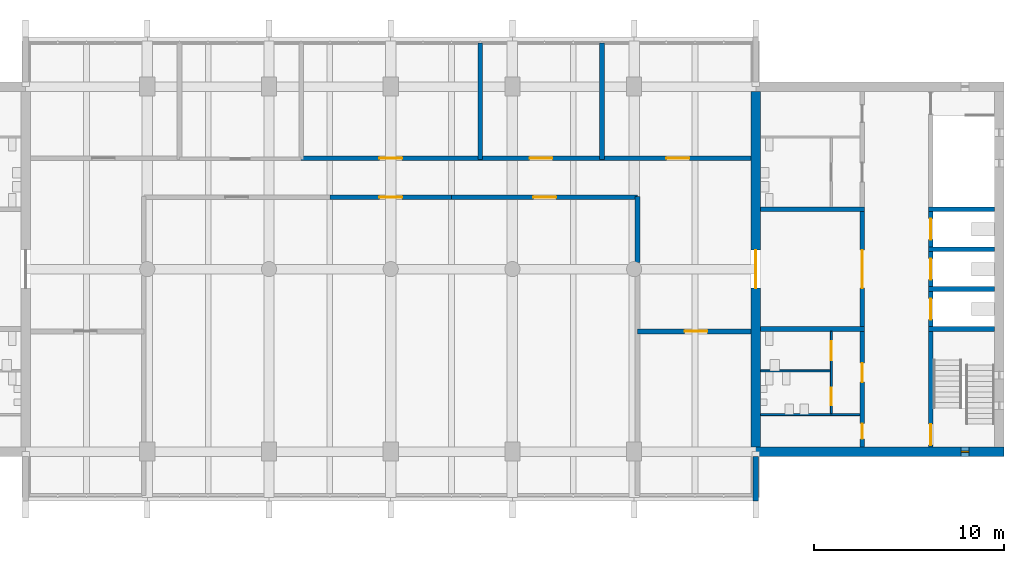
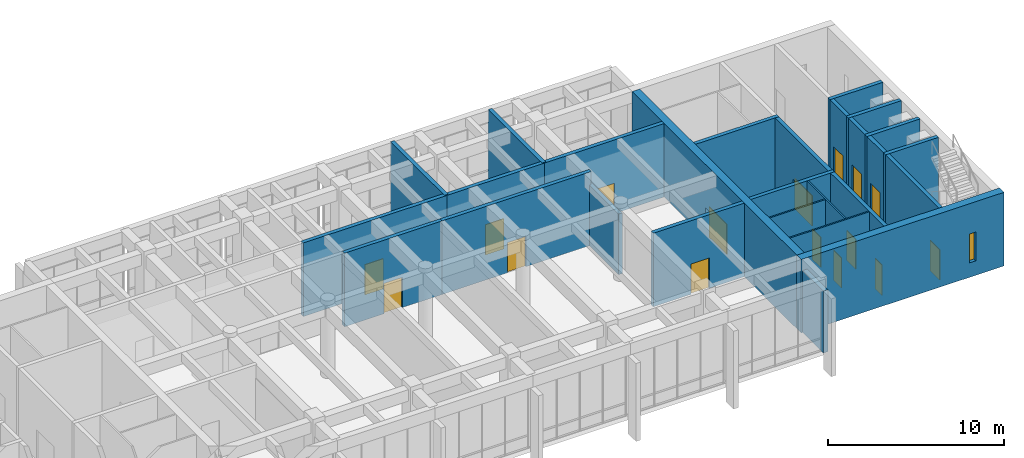
# One storey, part 5 of 10: 27 walls, 16 doors, 1 window, 17 openings.
"""IFC4 building model written with IfcOpenShell, lengths in metres."""

from ifc_helpers import new_model, si_unit, direction, frame, frame_2d, origin, place, context, subcontext, project, spatial, rectangle, extrude, material, layer, layer_set, type_object, element, fill, save


model = new_model("IFC4")

# Units and contexts
model_context = context("Model", 3, precision=1e-05, world=origin(), true_north=direction((0.0, 1.0)))
body_context = subcontext(model_context, "Body", "Model", "MODEL_VIEW")
ifc_project = project(units=[si_unit("LENGTHUNIT", "METRE"), si_unit("AREAUNIT", "SQUARE_METRE"), si_unit("VOLUMEUNIT", "CUBIC_METRE"), si_unit("PLANEANGLEUNIT", "RADIAN"), si_unit("MASSUNIT", "GRAM", prefix="KILO")], contexts=[model_context])

# Site, building, storey
site_placement = place(None, origin())
site = spatial("IfcSite", under=ifc_project, at=site_placement, CompositionType="ELEMENT")
building_placement = place(site_placement, origin())
building = spatial("IfcBuilding", under=site, at=building_placement, Name="Fogon Plaza Fire Station and Headquarters Tower", CompositionType="ELEMENT")
storey_placement = place(building_placement, frame((0.0, 0.0, 64.199951171875)))
storey = spatial("IfcBuildingStorey", under=building, at=storey_placement, Name="L16", CompositionType="ELEMENT", Elevation=64.199951171875)

# Walls
ifc_material_1 = material(Name="Concrete C40", Category="concrete")
ifc_layer_1 = layer(ifc_material_1, 0.25)
ifc_layer_set_1 = layer_set([ifc_layer_1], Name="Concrete C40")
wall_type_1 = type_object("IfcWallType", Name="Core Wall RC 250", PredefinedType="SOLIDWALL", material=ifc_layer_set_1)
for number, where, z_axis, x_axis, name in (
    (1, (76.550048828125, 40.050048828125, 0.0), (0.0, 0.0, 1.0), (-1.0, 0.0, 0.0), "Core B shaft wall"),
    (2, (76.550048828125, 42.14990234375, 0.0), (0.0, 0.0, 1.0), (-1.0, 0.0, 0.0), "Core B shaft wall"),
    (3, (76.550048828125, 44.25, 0.0), (0.0, 0.0, 1.0), (-1.0, 0.0, 0.0), "Core B shaft wall"),
    (4, (76.550048828125, 46.35009765625, 0.0), (0.0, 0.0, 1.0), (-1.0, 0.0, 0.0), "Core B shaft wall"),
):
    element("IfcWall", number, at=place(storey_placement, frame(where, z_axis=z_axis, x_axis=x_axis)), inside=storey, type_object=wall_type_1, Name=name, PredefinedType="SOLIDWALL", context=body_context, shape_type="SweptSolid", body=[
        extrude(rectangle(XDim=3.47509765625, YDim=0.25, at=frame_2d((1.737548828125, 0.0))), origin(), (0.0, 0.0, 1.0), 5.10009765625),
    ])

# Wall, opening, door
wall_1_placement = place(storey_placement, frame((73.199951171875, 33.85009765625, 0.0), z_axis=(0.0, 0.0, 1.0), x_axis=(0.0, 1.0, 0.0)))
wall_1 = element("IfcWall", 5, at=wall_1_placement, inside=storey, type_object=wall_type_1, Name="Core B shaft wall", PredefinedType="SOLIDWALL", context=body_context, shape_type="SweptSolid", body=[
    extrude(rectangle(XDim=6.074951171875, YDim=0.25, at=frame_2d((3.03759765625, 0.0))), origin(), (0.0, 0.0, 1.0), 5.10009765625),
])
opening_1_placement = place(wall_1_placement, frame((0.10009765625, 0.0, 0.0)))
opening_1 = element("IfcOpeningElement", 6, at=opening_1_placement, cuts=wall_1, Name="Opening L16-D17", PredefinedType="OPENING", context=body_context, shape_type="SweptSolid", body=[
    extrude(rectangle(XDim=1.10009765625, YDim=2.10009765625, at=frame_2d((0.550048828125, 1.050048828125))), frame((0.0, 0.135009765625, 0.0), z_axis=(0.0, -1.0, 0.0), x_axis=(1.0, 0.0, 0.0)), (0.0, 0.0, 1.0), 0.27001953125),
])
ifc_material_2 = material(Name="Steel Fire Door Leaf", Category="steel")
door_type_1 = type_object("IfcDoorType", Name="Stair Door Single 1100x2100", OperationType="SINGLE_SWING_LEFT", PredefinedType="DOOR", material=ifc_material_2)
door_1_placement = place(opening_1_placement, frame((1.10009765625, 0.0, 0.0), z_axis=(0.0, 0.0, 1.0), x_axis=(-1.0, 0.0, 0.0)))
door_1 = element("IfcDoor", 7, at=door_1_placement, inside=storey, type_object=door_type_1, Name="Stair door ST3", OperationType="SINGLE_SWING_RIGHT", OverallHeight=2.10009765625, OverallWidth=1.10009765625, PredefinedType="DOOR", context=body_context, shape_type="SweptSolid", body=[
    extrude(rectangle(XDim=1.10009765625, YDim=2.10009765625, at=frame_2d((0.550048828125, 1.050048828125))), frame((0.0, 0.02490234375, 0.0), z_axis=(0.0, -1.0, 0.0), x_axis=(1.0, 0.0, 0.0)), (0.0, 0.0, 1.0), 0.050048828125),
])
fill(opening_1, door_1)

wall_2_placement = place(storey_placement, frame((73.199951171875, 40.175048828125, 0.0), z_axis=(0.0, 0.0, 1.0), x_axis=(0.0, 1.0, 0.0)))
wall_2 = element("IfcWall", 8, at=wall_2_placement, inside=storey, type_object=wall_type_1, Name="Core B shaft wall", PredefinedType="SOLIDWALL", context=body_context, shape_type="SweptSolid", body=[
    extrude(rectangle(XDim=1.849853515625, YDim=0.25, at=frame_2d((0.9248046875, 0.0))), origin(), (0.0, 0.0, 1.0), 5.10009765625),
])
opening_2_placement = place(wall_2_placement, frame((0.375, 0.0, 0.0)))
opening_2 = element("IfcOpeningElement", 9, at=opening_2_placement, cuts=wall_2, Name="Opening L16-D19", PredefinedType="OPENING", context=body_context, shape_type="SweptSolid", body=[
    extrude(rectangle(XDim=1.10009765625, YDim=2.10009765625, at=frame_2d((0.550048828125, 1.050048828125))), frame((0.0, 0.135009765625, 0.0), z_axis=(0.0, -1.0, 0.0), x_axis=(1.0, 0.0, 0.0)), (0.0, 0.0, 1.0), 0.27001953125),
])
ifc_material_3 = material(Name="Stainless Steel", Category="steel")
door_type_2 = type_object("IfcDoorType", Name="Lift Landing Door 1100x2100", OperationType="SLIDING_TO_LEFT", PredefinedType="DOOR", material=ifc_material_3)
door_2_placement = place(opening_2_placement, origin())
door_2 = element("IfcDoor", 10, at=door_2_placement, inside=storey, type_object=door_type_2, Name="Lift LP3 landing door", OperationType="SLIDING_TO_LEFT", OverallHeight=2.10009765625, OverallWidth=1.10009765625, PredefinedType="DOOR", context=body_context, shape_type="SweptSolid", body=[
    extrude(rectangle(XDim=1.10009765625, YDim=2.10009765625, at=frame_2d((0.550048828125, 1.050048828125))), frame((0.0, 0.02490234375, 0.0), z_axis=(0.0, -1.0, 0.0), x_axis=(1.0, 0.0, 0.0)), (0.0, 0.0, 1.0), 0.050048828125),
])
fill(opening_2, door_2)

wall_3_placement = place(storey_placement, frame((73.199951171875, 42.27490234375, 0.0), z_axis=(0.0, 0.0, 1.0), x_axis=(0.0, 1.0, 0.0)))
wall_3 = element("IfcWall", 11, at=wall_3_placement, inside=storey, type_object=wall_type_1, Name="Core B shaft wall", PredefinedType="SOLIDWALL", context=body_context, shape_type="SweptSolid", body=[
    extrude(rectangle(XDim=1.85009765625, YDim=0.25, at=frame_2d((0.925048828125, 0.0))), origin(), (0.0, 0.0, 1.0), 5.10009765625),
])
opening_3_placement = place(wall_3_placement, frame((0.375, 0.0, 0.0)))
opening_3 = element("IfcOpeningElement", 12, at=opening_3_placement, cuts=wall_3, Name="Opening L16-D20", PredefinedType="OPENING", context=body_context, shape_type="SweptSolid", body=[
    extrude(rectangle(XDim=1.10009765625, YDim=2.10009765625, at=frame_2d((0.550048828125, 1.050048828125))), frame((0.0, 0.135009765625, 0.0), z_axis=(0.0, -1.0, 0.0), x_axis=(1.0, 0.0, 0.0)), (0.0, 0.0, 1.0), 0.27001953125),
])
door_3_placement = place(opening_3_placement, origin())
door_3 = element("IfcDoor", 13, at=door_3_placement, inside=storey, type_object=door_type_2, Name="Lift LP4 landing door", OperationType="SLIDING_TO_LEFT", OverallHeight=2.10009765625, OverallWidth=1.10009765625, PredefinedType="DOOR", context=body_context, shape_type="SweptSolid", body=[
    extrude(rectangle(XDim=1.10009765625, YDim=2.10009765625, at=frame_2d((0.550048828125, 1.050048828125))), frame((0.0, 0.02490234375, 0.0), z_axis=(0.0, -1.0, 0.0), x_axis=(1.0, 0.0, 0.0)), (0.0, 0.0, 1.0), 0.050048828125),
])
fill(opening_3, door_3)

wall_4_placement = place(storey_placement, frame((73.199951171875, 44.375, 0.0), z_axis=(0.0, 0.0, 1.0), x_axis=(0.0, 1.0, 0.0)))
wall_4 = element("IfcWall", 14, at=wall_4_placement, inside=storey, type_object=wall_type_1, Name="Core B shaft wall", PredefinedType="SOLIDWALL", context=body_context, shape_type="SweptSolid", body=[
    extrude(rectangle(XDim=1.85009765625, YDim=0.25, at=frame_2d((0.925048828125, 0.0))), origin(), (0.0, 0.0, 1.0), 5.10009765625),
])
opening_4_placement = place(wall_4_placement, frame((0.375, 0.0, 0.0)))
opening_4 = element("IfcOpeningElement", 15, at=opening_4_placement, cuts=wall_4, Name="Opening L16-D21", PredefinedType="OPENING", context=body_context, shape_type="SweptSolid", body=[
    extrude(rectangle(XDim=1.10009765625, YDim=2.10009765625, at=frame_2d((0.550048828125, 1.050048828125))), frame((0.0, 0.135009765625, 0.0), z_axis=(0.0, -1.0, 0.0), x_axis=(1.0, 0.0, 0.0)), (0.0, 0.0, 1.0), 0.27001953125),
])
door_4_placement = place(opening_4_placement, origin())
door_4 = element("IfcDoor", 16, at=door_4_placement, inside=storey, type_object=door_type_2, Name="Lift FL2 landing door", OperationType="SLIDING_TO_LEFT", OverallHeight=2.10009765625, OverallWidth=1.10009765625, PredefinedType="DOOR", context=body_context, shape_type="SweptSolid", body=[
    extrude(rectangle(XDim=1.10009765625, YDim=2.10009765625, at=frame_2d((0.550048828125, 1.050048828125))), frame((0.0, 0.02490234375, 0.0), z_axis=(0.0, -1.0, 0.0), x_axis=(1.0, 0.0, 0.0)), (0.0, 0.0, 1.0), 0.050048828125),
])
fill(opening_4, door_4)

# Wall, openings, doors
wall_5_placement = place(storey_placement, frame((69.60009765625, 33.85009765625, 0.0), z_axis=(0.0, 0.0, 1.0), x_axis=(0.0, 1.0, 0.0)))
wall_5 = element("IfcWall", 17, at=wall_5_placement, inside=storey, type_object=wall_type_1, Name="Core B shaft wall", PredefinedType="SOLIDWALL", context=body_context, shape_type="SweptSolid", body=[
    extrude(rectangle(XDim=6.074951171875, YDim=0.25, at=frame_2d((3.03759765625, 0.0))), origin(), (0.0, 0.0, 1.0), 5.10009765625),
])
opening_5_placement = place(wall_5_placement, frame((0.425048828125, 0.0, 0.0)))
opening_5 = element("IfcOpeningElement", 18, at=opening_5_placement, cuts=wall_5, Name="Opening L16-D24", PredefinedType="OPENING", context=body_context, shape_type="SweptSolid", body=[
    extrude(rectangle(XDim=0.800048828125, YDim=2.10009765625, at=frame_2d((0.39990234375, 1.050048828125))), frame((0.0, 0.135009765625, 0.0), z_axis=(0.0, -1.0, 0.0), x_axis=(1.0, 0.0, 0.0)), (0.0, 0.0, 1.0), 0.27001953125),
])
opening_6_placement = place(wall_5_placement, frame((3.41259765625, 0.0, 0.0)))
opening_6 = element("IfcOpeningElement", 19, at=opening_6_placement, cuts=wall_5, Name="Opening L16-D25", PredefinedType="OPENING", context=body_context, shape_type="SweptSolid", body=[
    extrude(rectangle(XDim=1.0, YDim=2.10009765625, at=frame_2d((0.5, 1.050048828125))), frame((0.0, 0.135009765625, 0.0), z_axis=(0.0, -1.0, 0.0), x_axis=(1.0, 0.0, 0.0)), (0.0, 0.0, 1.0), 0.27001953125),
])
ifc_material_4 = material(Name="Timber Door Leaf", Category="wood")
door_type_3 = type_object("IfcDoorType", Name="Cleaner Store Single 800x2100", OperationType="SINGLE_SWING_LEFT", PredefinedType="DOOR", material=ifc_material_4)
door_5_placement = place(opening_5_placement, origin())
door_5 = element("IfcDoor", 20, at=door_5_placement, inside=storey, type_object=door_type_3, Name="Cleaner's store B door", OperationType="SINGLE_SWING_LEFT", OverallHeight=2.10009765625, OverallWidth=0.800048828125, PredefinedType="DOOR", context=body_context, shape_type="SweptSolid", body=[
    extrude(rectangle(XDim=0.800048828125, YDim=2.10009765625, at=frame_2d((0.39990234375, 1.050048828125))), frame((0.0, 0.02490234375, 0.0), z_axis=(0.0, -1.0, 0.0), x_axis=(1.0, 0.0, 0.0)), (0.0, 0.0, 1.0), 0.050048828125),
])
fill(opening_5, door_5)
ifc_material_5 = material(Name="Timber fire door", Category="wood")
door_type_4 = type_object("IfcDoorType", Name="WC Lobby Single 1000x2100", OperationType="SINGLE_SWING_LEFT", PredefinedType="DOOR", material=ifc_material_5)
door_6_placement = place(opening_6_placement, origin())
door_6 = element("IfcDoor", 21, at=door_6_placement, inside=storey, type_object=door_type_4, Name="Men's WC lobby B door", OperationType="SINGLE_SWING_RIGHT", OverallHeight=2.10009765625, OverallWidth=1.0, PredefinedType="DOOR", context=body_context, shape_type="SweptSolid", body=[
    extrude(rectangle(XDim=1.0, YDim=2.10009765625, at=frame_2d((0.5, 1.050048828125))), frame((0.0, 0.02490234375, 0.0), z_axis=(0.0, -1.0, 0.0), x_axis=(1.0, 0.0, 0.0)), (0.0, 0.0, 1.0), 0.050048828125),
])
fill(opening_6, door_6)

# Wall, opening, door
wall_6_placement = place(storey_placement, frame((69.60009765625, 40.175048828125, 0.0), z_axis=(0.0, 0.0, 1.0), x_axis=(0.0, 1.0, 0.0)))
wall_6 = element("IfcWall", 22, at=wall_6_placement, inside=storey, type_object=wall_type_1, Name="Core B shaft wall", PredefinedType="SOLIDWALL", context=body_context, shape_type="SweptSolid", body=[
    extrude(rectangle(XDim=6.050048828125, YDim=0.25, at=frame_2d((3.02490234375, 0.0))), origin(), (0.0, 0.0, 1.0), 5.10009765625),
])
opening_7_placement = place(wall_6_placement, frame((2.02490234375, 0.0, 0.0)))
opening_7 = element("IfcOpeningElement", 23, at=opening_7_placement, cuts=wall_6, Name="Opening L16-D22", PredefinedType="OPENING", context=body_context, shape_type="SweptSolid", body=[
    extrude(rectangle(XDim=2.0, YDim=2.10009765625, at=frame_2d((1.0, 1.050048828125))), frame((0.0, 0.135009765625, 0.0), z_axis=(0.0, -1.0, 0.0), x_axis=(1.0, 0.0, 0.0)), (0.0, 0.0, 1.0), 0.27001953125),
])
ifc_material_6 = material(Name="Steel Fire Door Leaf", Category="steel")
door_type_5 = type_object("IfcDoorType", Name="Vestibule Double 2000x2100", OperationType="DOUBLE_DOOR_SINGLE_SWING", PredefinedType="DOOR", material=ifc_material_6)
door_7_placement = place(opening_7_placement, origin())
door_7 = element("IfcDoor", 24, at=door_7_placement, inside=storey, type_object=door_type_5, Name="Vestibule B door", OperationType="DOUBLE_DOOR_SINGLE_SWING", OverallHeight=2.10009765625, OverallWidth=2.0, PredefinedType="DOOR", context=body_context, shape_type="SweptSolid", body=[
    extrude(rectangle(XDim=2.0, YDim=2.10009765625, at=frame_2d((1.0, 1.050048828125))), frame((0.0, 0.02490234375, 0.0), z_axis=(0.0, -1.0, 0.0), x_axis=(1.0, 0.0, 0.0)), (0.0, 0.0, 1.0), 0.050048828125),
])
fill(opening_7, door_7)

# Walls
for number, where, z_axis, x_axis, name in (
    (25, (69.72509765625, 40.050048828125, 0.0), (0.0, 0.0, 1.0), (-1.0, 0.0, 0.0), "Core B shaft wall"),
    (26, (69.72509765625, 46.35009765625, 0.0), (0.0, 0.0, 1.0), (-1.0, 0.0, 0.0), "Core B shaft wall"),
):
    element("IfcWall", number, at=place(storey_placement, frame(where, z_axis=z_axis, x_axis=x_axis)), inside=storey, type_object=wall_type_1, Name=name, PredefinedType="SOLIDWALL", context=body_context, shape_type="SweptSolid", body=[
        extrude(rectangle(XDim=5.47509765625, YDim=0.25, at=frame_2d((2.737548828125, 0.0))), origin(), (0.0, 0.0, 1.0), 5.10009765625),
    ])
ifc_material_7 = material(Name="Concrete C40", Category="concrete")
ifc_layer_2 = layer(ifc_material_7, 0.300048828125)
ifc_layer_set_2 = layer_set([ifc_layer_2], Name="Concrete C40")
wall_type_2 = type_object("IfcWallType", Name="Fair-faced RC Return Panel 300", PredefinedType="SOLIDWALL", material=ifc_layer_set_2)
wall_7_placement = place(storey_placement, frame((64.0, 31.0, 0.0), z_axis=(0.0, 0.0, 1.0), x_axis=(0.0, 1.0, 0.0)))
element("IfcWall", 27, at=wall_7_placement, inside=storey, type_object=wall_type_2, Name="Bar end return ES L16", PredefinedType="SOLIDWALL", context=body_context, shape_type="SweptSolid", body=[
    extrude(rectangle(XDim=2.35009765625, YDim=0.300048828125, at=frame_2d((1.175048828125, 0.0))), origin(), (0.0, 0.0, 1.0), 4.300048828125),
])
ifc_material_8 = material(Name="Blockwork", Category="masonry")
ifc_layer_3 = layer(ifc_material_8, 0.10009765625)
ifc_layer_set_3 = layer_set([ifc_layer_3], Name="Blockwork")
wall_type_3 = type_object("IfcWallType", Name="Partition Blockwork 100", PredefinedType="PARTITIONING", material=ifc_layer_set_3)
wall_8_placement = place(storey_placement, frame((69.47509765625, 35.550048828125, 0.0), z_axis=(0.0, 0.0, 1.0), x_axis=(-1.0, 0.0, 0.0)))
element("IfcWall", 28, at=wall_8_placement, inside=storey, type_object=wall_type_3, Name="Cleaner's store partition", PredefinedType="PARTITIONING", context=body_context, shape_type="SweptSolid", body=[
    extrude(rectangle(XDim=5.22509765625, YDim=0.10009765625, at=frame_2d((2.612548828125, 0.0))), origin(), (0.0, 0.0, 1.0), 5.10009765625),
])

# Wall, openings, doors
wall_9_placement = place(storey_placement, frame((67.97509765625, 35.60009765625, 0.0), z_axis=(0.0, 0.0, 1.0), x_axis=(0.0, 1.0, 0.0)))
wall_9 = element("IfcWall", 29, at=wall_9_placement, inside=storey, type_object=wall_type_3, Name="WC block partition", PredefinedType="PARTITIONING", context=body_context, shape_type="SweptSolid", body=[
    extrude(rectangle(XDim=4.324951171875, YDim=0.10009765625, at=frame_2d((2.16259765625, 0.0))), origin(), (0.0, 0.0, 1.0), 5.10009765625),
])
opening_8_placement = place(wall_9_placement, frame((0.449951171875, 0.0, 0.0)))
opening_8 = element("IfcOpeningElement", 30, at=opening_8_placement, cuts=wall_9, Name="Opening L16-D26", PredefinedType="OPENING", context=body_context, shape_type="SweptSolid", body=[
    extrude(rectangle(XDim=0.89990234375, YDim=2.10009765625, at=frame_2d((0.449951171875, 1.050048828125))), frame((0.0, 0.06005859375, 0.0), z_axis=(0.0, -1.0, 0.0), x_axis=(1.0, 0.0, 0.0)), (0.0, 0.0, 1.0), 0.1201171875),
])
opening_9_placement = place(wall_9_placement, frame((2.8125, 0.0, 0.0)))
opening_9 = element("IfcOpeningElement", 31, at=opening_9_placement, cuts=wall_9, Name="Opening L16-D27", PredefinedType="OPENING", context=body_context, shape_type="SweptSolid", body=[
    extrude(rectangle(XDim=1.0, YDim=2.10009765625, at=frame_2d((0.5, 1.050048828125))), frame((0.0, 0.06005859375, 0.0), z_axis=(0.0, -1.0, 0.0), x_axis=(1.0, 0.0, 0.0)), (0.0, 0.0, 1.0), 0.1201171875),
])
ifc_material_9 = material(Name="Timber Door Leaf", Category="wood")
door_type_6 = type_object("IfcDoorType", Name="Accessible WC Single 1000x2100", OperationType="SINGLE_SWING_LEFT", PredefinedType="DOOR", material=ifc_material_9)
door_8_placement = place(opening_9_placement, origin())
door_8 = element("IfcDoor", 32, at=door_8_placement, inside=storey, type_object=door_type_6, Name="Accessible WC B door", OperationType="SINGLE_SWING_RIGHT", OverallHeight=2.10009765625, OverallWidth=1.0, PredefinedType="DOOR", context=body_context, shape_type="SweptSolid", body=[
    extrude(rectangle(XDim=1.0, YDim=2.10009765625, at=frame_2d((0.5, 1.050048828125))), frame((0.0, 0.02490234375, 0.0), z_axis=(0.0, -1.0, 0.0), x_axis=(1.0, 0.0, 0.0)), (0.0, 0.0, 1.0), 0.050048828125),
])
fill(opening_9, door_8)
ifc_material_10 = material(Name="Timber Door Leaf", Category="wood")
door_type_7 = type_object("IfcDoorType", Name="WC Single 900x2100", OperationType="SINGLE_SWING_LEFT", PredefinedType="DOOR", material=ifc_material_10)
door_9_placement = place(opening_8_placement, origin())
door_9 = element("IfcDoor", 33, at=door_9_placement, inside=storey, type_object=door_type_7, Name="Men's WC B door", OperationType="SINGLE_SWING_LEFT", OverallHeight=2.10009765625, OverallWidth=0.89990234375, PredefinedType="DOOR", context=body_context, shape_type="SweptSolid", body=[
    extrude(rectangle(XDim=0.89990234375, YDim=2.10009765625, at=frame_2d((0.449951171875, 1.050048828125))), frame((0.0, 0.02490234375, 0.0), z_axis=(0.0, -1.0, 0.0), x_axis=(1.0, 0.0, 0.0)), (0.0, 0.0, 1.0), 0.050048828125),
])
fill(opening_8, door_9)

# Wall
wall_10_placement = place(storey_placement, frame((67.925048828125, 37.85009765625, 0.0), z_axis=(0.0, 0.0, 1.0), x_axis=(-1.0, 0.0, 0.0)))
element("IfcWall", 34, at=wall_10_placement, inside=storey, type_object=wall_type_3, Name="WC block partition", PredefinedType="PARTITIONING", context=body_context, shape_type="SweptSolid", body=[
    extrude(rectangle(XDim=3.675048828125, YDim=0.10009765625, at=frame_2d((1.83740234375, 0.0))), origin(), (0.0, 0.0, 1.0), 5.10009765625),
])

# Wall, opening, window
ifc_material_11 = material(Name="Concrete C40", Category="concrete")
ifc_layer_4 = layer(ifc_material_11, 0.5)
ifc_layer_set_4 = layer_set([ifc_layer_4], Name="Concrete C40")
wall_type_4 = type_object("IfcWallType", Name="Shear wall 500 SW50", PredefinedType="SHEAR", material=ifc_layer_set_4)
wall_11_placement = place(storey_placement, frame((63.75, 33.60009765625, 0.0), z_axis=(0.0, 0.0, 1.0), x_axis=(1.0, 0.0, 0.0)))
wall_11 = element("IfcWall", 35, at=wall_11_placement, inside=storey, type_object=wall_type_4, Name="wall-coreB-S-L16", PredefinedType="SHEAR", context=body_context, shape_type="SweptSolid", body=[
    extrude(rectangle(XDim=13.300048828125, YDim=0.5, at=frame_2d((6.64990234375, 0.0))), origin(), (0.0, 0.0, 1.0), 5.10009765625),
])
opening_10_placement = place(wall_11_placement, frame((11.050048828125, 0.0, 1.0)))
opening_10 = element("IfcOpeningElement", 36, at=opening_10_placement, cuts=wall_11, Name="Opening WS1", PredefinedType="OPENING", context=body_context, shape_type="SweptSolid", body=[
    extrude(rectangle(XDim=0.39990234375, YDim=2.0, at=frame_2d((0.199951171875, 1.0))), frame((0.0, 0.260009765625, 0.0), z_axis=(0.0, -1.0, 0.0), x_axis=(1.0, 0.0, 0.0)), (0.0, 0.0, 1.0), 0.52001953125),
])
ifc_material_12 = material(Name="Aluminium framed double glazing", Category="aluminium")
window_type = type_object("IfcWindowType", Name="Slit Window WS1 400x2000", PartitioningType="SINGLE_PANEL", PredefinedType="WINDOW", material=ifc_material_12)
window_placement = place(opening_10_placement, origin())
window = element("IfcWindow", 37, at=window_placement, inside=storey, type_object=window_type, Name="Slit window B5 L16", OverallHeight=2.0, OverallWidth=0.39990234375, PartitioningType="SINGLE_PANEL", PredefinedType="WINDOW", context=body_context, shape_type="SweptSolid", body=[
    extrude(rectangle(XDim=0.39990234375, YDim=2.0, at=frame_2d((0.199951171875, 1.0))), frame((0.0, 0.030029296875, 0.0), z_axis=(0.0, -1.0, 0.0), x_axis=(1.0, 0.0, 0.0)), (0.0, 0.0, 1.0), 0.06005859375),
])
fill(opening_10, window)

# Wall, opening, door
wall_12_placement = place(storey_placement, frame((64.0, 33.85009765625, 0.0), z_axis=(0.0, 0.0, 1.0), x_axis=(0.0, 1.0, 0.0)))
wall_12 = element("IfcWall", 38, at=wall_12_placement, inside=storey, type_object=wall_type_4, Name="wall-coreB-W-L16", PredefinedType="SHEAR", context=body_context, shape_type="SweptSolid", body=[
    extrude(rectangle(XDim=18.699951171875, YDim=0.5, at=frame_2d((9.35009765625, 0.0))), origin(), (0.0, 0.0, 1.0), 5.10009765625),
])
opening_11_placement = place(wall_12_placement, frame((8.35009765625, 0.0, 0.0)))
opening_11 = element("IfcOpeningElement", 39, at=opening_11_placement, cuts=wall_12, Name="Opening L16-D23", PredefinedType="OPENING", context=body_context, shape_type="SweptSolid", body=[
    extrude(rectangle(XDim=2.0, YDim=2.10009765625, at=frame_2d((1.0, 1.050048828125))), frame((0.0, 0.260009765625, 0.0), z_axis=(0.0, -1.0, 0.0), x_axis=(1.0, 0.0, 0.0)), (0.0, 0.0, 1.0), 0.52001953125),
])
door_10_placement = place(opening_11_placement, frame((2.0, 0.0, 0.0), z_axis=(0.0, 0.0, 1.0), x_axis=(-1.0, 0.0, 0.0)))
door_10 = element("IfcDoor", 40, at=door_10_placement, inside=storey, type_object=door_type_5, Name="Vestibule B door to the office zone", OperationType="DOUBLE_DOOR_SINGLE_SWING", OverallHeight=2.10009765625, OverallWidth=2.0, PredefinedType="DOOR", context=body_context, shape_type="SweptSolid", body=[
    extrude(rectangle(XDim=2.0, YDim=2.10009765625, at=frame_2d((1.0, 1.050048828125))), frame((0.0, 0.02490234375, 0.0), z_axis=(0.0, -1.0, 0.0), x_axis=(1.0, 0.0, 0.0)), (0.0, 0.0, 1.0), 0.050048828125),
])
fill(opening_11, door_10)

ifc_material_13 = material(Name="Concrete block masonry", Category="masonry")
ifc_layer_5 = layer(ifc_material_13, 0.25)
ifc_layer_set_5 = layer_set([ifc_layer_5], Name="Concrete block masonry")
wall_type_5 = type_object("IfcWallType", Name="Tower plant wall 250 EI 120", PredefinedType="PARTITIONING", material=ifc_layer_set_5)
wall_13_placement = place(storey_placement, frame((41.60009765625, 46.97509765625, 0.0), z_axis=(0.0, 0.0, 1.0), x_axis=(1.0, 0.0, 0.0)))
wall_13 = element("IfcWall", 41, at=wall_13_placement, inside=storey, type_object=wall_type_5, Name="part-L16-02", PredefinedType="PARTITIONING", context=body_context, shape_type="SweptSolid", body=[
    extrude(rectangle(XDim=6.39990234375, YDim=0.25, at=frame_2d((3.199951171875, 0.0))), origin(), (0.0, 0.0, 1.0), 5.10009765625),
])
opening_12_placement = place(wall_13_placement, frame((2.60009765625, 0.0, 0.0)))
opening_12 = element("IfcOpeningElement", 42, at=opening_12_placement, cuts=wall_13, Name="Opening L16-D32", PredefinedType="OPENING", context=body_context, shape_type="SweptSolid", body=[
    extrude(rectangle(XDim=1.199951171875, YDim=2.10009765625, at=frame_2d((0.60009765625, 1.050048828125))), frame((0.0, 0.135009765625, 0.0), z_axis=(0.0, -1.0, 0.0), x_axis=(1.0, 0.0, 0.0)), (0.0, 0.0, 1.0), 0.27001953125),
])
ifc_material_14 = material(Name="Steel fire door", Category="steel")
door_type_8 = type_object("IfcDoorType", Name="Tower plant door double 1200 EI 90", OperationType="DOUBLE_DOOR_SINGLE_SWING", PredefinedType="DOOR", material=ifc_material_14)
door_11_placement = place(opening_12_placement, frame((1.199951171875, 0.0, 0.0), z_axis=(0.0, 0.0, 1.0), x_axis=(-1.0, 0.0, 0.0)))
door_11 = element("IfcDoor", 43, at=door_11_placement, inside=storey, type_object=door_type_8, Name="door-L16-02", OperationType="DOUBLE_DOOR_SINGLE_SWING", OverallHeight=2.10009765625, OverallWidth=1.199951171875, PredefinedType="DOOR", context=body_context, shape_type="SweptSolid", body=[
    extrude(rectangle(XDim=1.199951171875, YDim=2.10009765625, at=frame_2d((0.60009765625, 1.050048828125))), frame((0.0, 0.02490234375, 0.0), z_axis=(0.0, -1.0, 0.0), x_axis=(1.0, 0.0, 0.0)), (0.0, 0.0, 1.0), 0.050048828125),
])
fill(opening_12, door_11)

wall_14_placement = place(storey_placement, frame((48.0, 46.97509765625, 0.0), z_axis=(0.0, 0.0, 1.0), x_axis=(1.0, 0.0, 0.0)))
wall_14 = element("IfcWall", 44, at=wall_14_placement, inside=storey, type_object=wall_type_5, Name="part-L16-03", PredefinedType="PARTITIONING", context=body_context, shape_type="SweptSolid", body=[
    extrude(rectangle(XDim=9.780029296875, YDim=0.25, at=frame_2d((4.89013671875, 0.0))), origin(), (0.0, 0.0, 1.0), 5.10009765625),
])
opening_13_placement = place(wall_14_placement, frame((4.300048828125, 0.0, 0.0)))
opening_13 = element("IfcOpeningElement", 45, at=opening_13_placement, cuts=wall_14, Name="Opening L16-D33", PredefinedType="OPENING", context=body_context, shape_type="SweptSolid", body=[
    extrude(rectangle(XDim=1.199951171875, YDim=2.10009765625, at=frame_2d((0.60009765625, 1.050048828125))), frame((0.0, 0.135009765625, 0.0), z_axis=(0.0, -1.0, 0.0), x_axis=(1.0, 0.0, 0.0)), (0.0, 0.0, 1.0), 0.27001953125),
])
door_12_placement = place(opening_13_placement, frame((1.199951171875, 0.0, 0.0), z_axis=(0.0, 0.0, 1.0), x_axis=(-1.0, 0.0, 0.0)))
door_12 = element("IfcDoor", 46, at=door_12_placement, inside=storey, type_object=door_type_8, Name="door-L16-03", OperationType="DOUBLE_DOOR_SINGLE_SWING", OverallHeight=2.10009765625, OverallWidth=1.199951171875, PredefinedType="DOOR", context=body_context, shape_type="SweptSolid", body=[
    extrude(rectangle(XDim=1.199951171875, YDim=2.10009765625, at=frame_2d((0.60009765625, 1.050048828125))), frame((0.0, 0.02490234375, 0.0), z_axis=(0.0, -1.0, 0.0), x_axis=(1.0, 0.0, 0.0)), (0.0, 0.0, 1.0), 0.050048828125),
])
fill(opening_13, door_12)

wall_15_placement = place(storey_placement, frame((40.090087890625, 49.02490234375, 0.0), z_axis=(0.0, 0.0, 1.0), x_axis=(1.0, 0.0, 0.0)))
wall_15 = element("IfcWall", 47, at=wall_15_placement, inside=storey, type_object=wall_type_5, Name="part-L16-08", PredefinedType="PARTITIONING", context=body_context, shape_type="SweptSolid", body=[
    extrude(rectangle(XDim=9.419921875, YDim=0.25, at=frame_2d((4.7099609375, 0.0))), origin(), (0.0, 0.0, 1.0), 5.10009765625),
])
opening_14_placement = place(wall_15_placement, frame((4.110107421875, 0.0, 0.0)))
opening_14 = element("IfcOpeningElement", 48, at=opening_14_placement, cuts=wall_15, Name="Opening L16-D36", PredefinedType="OPENING", context=body_context, shape_type="SweptSolid", body=[
    extrude(rectangle(XDim=1.199951171875, YDim=2.10009765625, at=frame_2d((0.60009765625, 1.050048828125))), frame((0.0, 0.135009765625, 0.0), z_axis=(0.0, -1.0, 0.0), x_axis=(1.0, 0.0, 0.0)), (0.0, 0.0, 1.0), 0.27001953125),
])
door_13_placement = place(opening_14_placement, origin())
door_13 = element("IfcDoor", 49, at=door_13_placement, inside=storey, type_object=door_type_8, Name="door-L16-06", OperationType="DOUBLE_DOOR_SINGLE_SWING", OverallHeight=2.10009765625, OverallWidth=1.199951171875, PredefinedType="DOOR", context=body_context, shape_type="SweptSolid", body=[
    extrude(rectangle(XDim=1.199951171875, YDim=2.10009765625, at=frame_2d((0.60009765625, 1.050048828125))), frame((0.0, 0.02490234375, 0.0), z_axis=(0.0, -1.0, 0.0), x_axis=(1.0, 0.0, 0.0)), (0.0, 0.0, 1.0), 0.050048828125),
])
fill(opening_14, door_13)

wall_16_placement = place(storey_placement, frame((49.510009765625, 49.02490234375, 0.0), z_axis=(0.0, 0.0, 1.0), x_axis=(1.0, 0.0, 0.0)))
wall_16 = element("IfcWall", 50, at=wall_16_placement, inside=storey, type_object=wall_type_5, Name="part-L16-09", PredefinedType="PARTITIONING", context=body_context, shape_type="SweptSolid", body=[
    extrude(rectangle(XDim=6.39990234375, YDim=0.25, at=frame_2d((3.199951171875, 0.0))), origin(), (0.0, 0.0, 1.0), 5.10009765625),
])
opening_15_placement = place(wall_16_placement, frame((2.590087890625, 0.0, 0.0)))
opening_15 = element("IfcOpeningElement", 51, at=opening_15_placement, cuts=wall_16, Name="Opening L16-D37", PredefinedType="OPENING", context=body_context, shape_type="SweptSolid", body=[
    extrude(rectangle(XDim=1.199951171875, YDim=2.10009765625, at=frame_2d((0.60009765625, 1.050048828125))), frame((0.0, 0.135009765625, 0.0), z_axis=(0.0, -1.0, 0.0), x_axis=(1.0, 0.0, 0.0)), (0.0, 0.0, 1.0), 0.27001953125),
])
door_14_placement = place(opening_15_placement, origin())
door_14 = element("IfcDoor", 52, at=door_14_placement, inside=storey, type_object=door_type_8, Name="door-L16-07", OperationType="DOUBLE_DOOR_SINGLE_SWING", OverallHeight=2.10009765625, OverallWidth=1.199951171875, PredefinedType="DOOR", context=body_context, shape_type="SweptSolid", body=[
    extrude(rectangle(XDim=1.199951171875, YDim=2.10009765625, at=frame_2d((0.60009765625, 1.050048828125))), frame((0.0, 0.02490234375, 0.0), z_axis=(0.0, -1.0, 0.0), x_axis=(1.0, 0.0, 0.0)), (0.0, 0.0, 1.0), 0.050048828125),
])
fill(opening_15, door_14)

wall_17_placement = place(storey_placement, frame((55.909912109375, 49.02490234375, 0.0), z_axis=(0.0, 0.0, 1.0), x_axis=(1.0, 0.0, 0.0)))
wall_17 = element("IfcWall", 53, at=wall_17_placement, inside=storey, type_object=wall_type_5, Name="part-L16-10", PredefinedType="PARTITIONING", context=body_context, shape_type="SweptSolid", body=[
    extrude(rectangle(XDim=7.840087890625, YDim=0.25, at=frame_2d((3.919921875, 0.0))), origin(), (0.0, 0.0, 1.0), 5.10009765625),
])
opening_16_placement = place(wall_17_placement, frame((3.389892578125, 0.0, 0.0)))
opening_16 = element("IfcOpeningElement", 54, at=opening_16_placement, cuts=wall_17, Name="Opening L16-D38", PredefinedType="OPENING", context=body_context, shape_type="SweptSolid", body=[
    extrude(rectangle(XDim=1.199951171875, YDim=2.10009765625, at=frame_2d((0.60009765625, 1.050048828125))), frame((0.0, 0.135009765625, 0.0), z_axis=(0.0, -1.0, 0.0), x_axis=(1.0, 0.0, 0.0)), (0.0, 0.0, 1.0), 0.27001953125),
])
door_15_placement = place(opening_16_placement, origin())
door_15 = element("IfcDoor", 55, at=door_15_placement, inside=storey, type_object=door_type_8, Name="door-L16-08", OperationType="DOUBLE_DOOR_SINGLE_SWING", OverallHeight=2.10009765625, OverallWidth=1.199951171875, PredefinedType="DOOR", context=body_context, shape_type="SweptSolid", body=[
    extrude(rectangle(XDim=1.199951171875, YDim=2.10009765625, at=frame_2d((0.60009765625, 1.050048828125))), frame((0.0, 0.02490234375, 0.0), z_axis=(0.0, -1.0, 0.0), x_axis=(1.0, 0.0, 0.0)), (0.0, 0.0, 1.0), 0.050048828125),
])
fill(opening_16, door_15)

# Walls
for number, where, z_axis, x_axis, name in (
    (56, (49.510009765625, 48.97509765625, 0.0), (0.0, 0.0, 1.0), (0.0, 1.0, 0.0), "part-L16-13"),
    (57, (55.909912109375, 48.97509765625, 0.0), (0.0, 0.0, 1.0), (0.0, 1.0, 0.0), "part-L16-14"),
):
    element("IfcWall", number, at=place(storey_placement, frame(where, z_axis=z_axis, x_axis=x_axis)), inside=storey, type_object=wall_type_5, Name=name, PredefinedType="PARTITIONING", context=body_context, shape_type="SweptSolid", body=[
        extrude(rectangle(XDim=6.125, YDim=0.25, at=frame_2d((3.0625, 0.0))), origin(), (0.0, 0.0, 1.0), 5.10009765625),
    ])

# Wall, opening, door
wall_18_placement = place(storey_placement, frame((57.780029296875, 39.925048828125, 0.0), z_axis=(0.0, 0.0, 1.0), x_axis=(1.0, 0.0, 0.0)))
wall_18 = element("IfcWall", 58, at=wall_18_placement, inside=storey, type_object=wall_type_5, Name="part-L16-19", PredefinedType="PARTITIONING", context=body_context, shape_type="SweptSolid", body=[
    extrude(rectangle(XDim=5.969970703125, YDim=0.25, at=frame_2d((2.98486328125, 0.0))), origin(), (0.0, 0.0, 1.0), 5.10009765625),
])
opening_17_placement = place(wall_18_placement, frame((2.469970703125, 0.0, 0.0)))
opening_17 = element("IfcOpeningElement", 59, at=opening_17_placement, cuts=wall_18, Name="Opening L16-D40", PredefinedType="OPENING", context=body_context, shape_type="SweptSolid", body=[
    extrude(rectangle(XDim=1.199951171875, YDim=2.10009765625, at=frame_2d((0.60009765625, 1.050048828125))), frame((0.0, 0.135009765625, 0.0), z_axis=(0.0, -1.0, 0.0), x_axis=(1.0, 0.0, 0.0)), (0.0, 0.0, 1.0), 0.27001953125),
])
door_16_placement = place(opening_17_placement, frame((1.199951171875, 0.0, 0.0), z_axis=(0.0, 0.0, 1.0), x_axis=(-1.0, 0.0, 0.0)))
door_16 = element("IfcDoor", 60, at=door_16_placement, inside=storey, type_object=door_type_8, Name="door-L16-10", OperationType="DOUBLE_DOOR_SINGLE_SWING", OverallHeight=2.10009765625, OverallWidth=1.199951171875, PredefinedType="DOOR", context=body_context, shape_type="SweptSolid", body=[
    extrude(rectangle(XDim=1.199951171875, YDim=2.10009765625, at=frame_2d((0.60009765625, 1.050048828125))), frame((0.0, 0.02490234375, 0.0), z_axis=(0.0, -1.0, 0.0), x_axis=(1.0, 0.0, 0.0)), (0.0, 0.0, 1.0), 0.050048828125),
])
fill(opening_17, door_16)

# Wall
ifc_material_15 = material(Name="Concrete block masonry", Category="masonry")
ifc_layer_6 = layer(ifc_material_15, 0.25)
ifc_layer_set_6 = layer_set([ifc_layer_6], Name="Concrete block masonry")
wall_type_6 = type_object("IfcWallType", Name="Tower plant wall 250 EI 120 Beam Head 900", PredefinedType="PARTITIONING", material=ifc_layer_set_6)
wall_19_placement = place(storey_placement, frame((57.780029296875, 43.537109375, 0.0), z_axis=(0.0, 0.0, 1.0), x_axis=(0.0, 1.0, 0.0)))
element("IfcWall", 61, at=wall_19_placement, inside=storey, type_object=wall_type_6, Name="part-L16-22", PredefinedType="PARTITIONING", context=body_context, shape_type="SweptSolid", body=[
    extrude(rectangle(XDim=3.48779296875, YDim=0.25, at=frame_2d((1.743896484375, 0.0))), origin(), (0.0, 0.0, 1.0), 4.199951171875),
])

save(model, "model.ifc")
